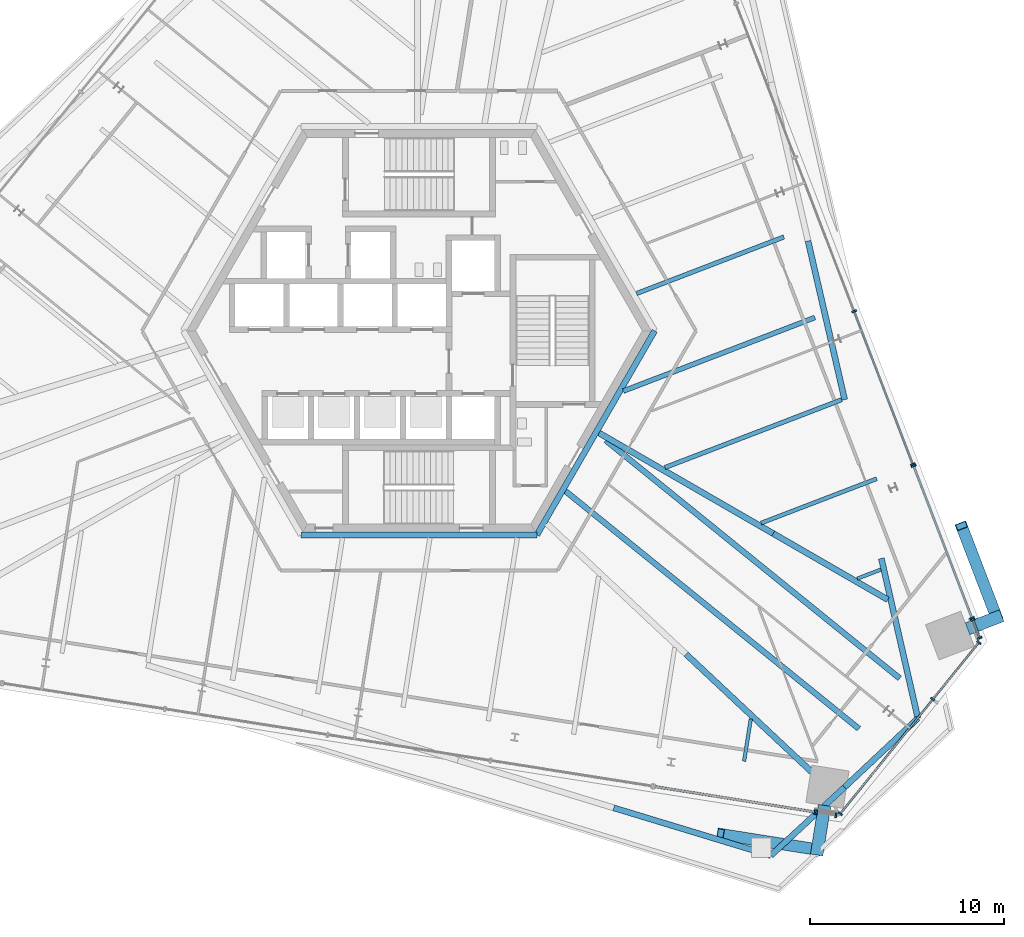
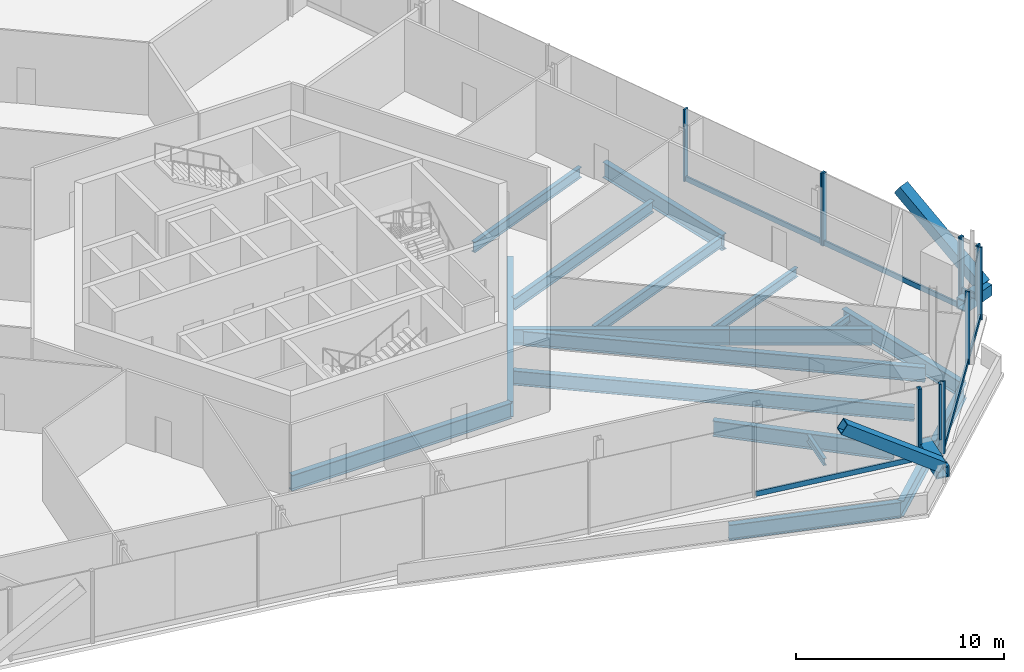
# One storey, part 6 of 22: 22 members, 18 beams, 6 elements without a shape of their own.
"""IFC4 building model written with IfcOpenShell, lengths in metres."""

from ifc_helpers import new_model, si_unit, direction, frame, origin, origin_2d, place, context, subcontext, project, spatial, rectangle, hollow_rectangle, i_section, extrude, source, transform, mapped, material, material_profile, profile_set, type_object, element, aggregate, save


model = new_model("IFC4")

# Units and contexts
model_context = context("Model", 3, precision=1e-05, world=origin(), true_north=direction((0.0, 1.0)))
body_context = subcontext(model_context, "Body", "Model", "MODEL_VIEW")
ifc_project = project(units=[si_unit("LENGTHUNIT", "METRE"), si_unit("AREAUNIT", "SQUARE_METRE"), si_unit("VOLUMEUNIT", "CUBIC_METRE"), si_unit("PLANEANGLEUNIT", "RADIAN"), si_unit("MASSUNIT", "GRAM", prefix="KILO")], contexts=[model_context])

# Site, building, storey
site_placement = place(None, origin())
site = spatial("IfcSite", under=ifc_project, at=site_placement, CompositionType="ELEMENT")
building_placement = place(site_placement, origin())
building = spatial("IfcBuilding", under=site, at=building_placement, Name="Triune Harvest Tower", CompositionType="ELEMENT")
storey_placement = place(building_placement, frame((0.0, 0.0, 138.10009765625)))
storey = spatial("IfcBuildingStorey", under=building, at=storey_placement, Name="L35", CompositionType="ELEMENT", Elevation=138.10009765625)

# Member
ifc_material_1 = material(Name="Steel ASTM A572 Gr 50", Category="steel")
ifc_material_profile_1 = material_profile(ifc_material_1, hollow_rectangle(XDim=0.60009765625, YDim=0.60009765625, WallThickness=0.0400390625, at=origin_2d()), Name="Box 600x600x40")
ifc_profile_set_1 = profile_set([ifc_material_profile_1], Name="Steel ASTM A572 Gr 50")
member_type_1 = type_object("IfcMemberType", Name="BR-2 Brace Box 600x600x40", PredefinedType="BRACE", material=ifc_profile_set_1)
member_1_placement = place(storey_placement, frame((20.585693359375, -26.80078125, 0.889892578125), z_axis=(-0.812337199478, 0.128663577474, 0.568818036085), x_axis=(-0.15643684292, -0.987687963973, 0.0)))
element("IfcMember", 1, at=member_1_placement, inside=storey, type_object=member_type_1, Name="brace/B4-F5/d2/1", PredefinedType="BRACE", context=body_context, shape_type="SweptSolid", body=[
    extrude(hollow_rectangle(XDim=0.60009765625, YDim=0.60009765625, WallThickness=0.0400390625, at=origin_2d()), origin(), (0.0, 0.0, 1.0), 6.170654296875),
])

# Beams
ifc_material_2 = material(Name="Steel ASTM A992 Gr 50", Category="steel")
ifc_material_profile_2 = material_profile(ifc_material_2, i_section(OverallWidth=0.307373046875, OverallDepth=0.922119140625, WebThickness=0.018310546875, FlangeThickness=0.030029296875, at=origin_2d()), Name="W36x182")
ifc_profile_set_2 = profile_set([ifc_material_profile_2], Name="Steel ASTM A992 Gr 50")
beam_type_1 = type_object("IfcBeamType", Name="HG-2 Hip girder W36x182", PredefinedType="BEAM", material=ifc_profile_set_2)
beam_1_placement = place(storey_placement, frame((24.214111328125, -13.888427734375, -0.6611328125), z_axis=(-0.866037387927, 0.499979242281, 0.0), x_axis=(-0.499979242281, -0.866037387927, 0.0)))
element("IfcBeam", 2, at=beam_1_placement, inside=storey, type_object=beam_type_1, Name="beam/L35/HG1", PredefinedType="BEAM", context=body_context, shape_type="SweptSolid", body=[
    extrude(i_section(OverallWidth=0.307373046875, OverallDepth=0.922119140625, WebThickness=0.018310546875, FlangeThickness=0.030029296875, at=origin_2d()), origin(), (0.0, 0.0, 1.0), 6.830810546875),
])
beam_2_placement = place(storey_placement, frame((20.2880859375, -22.791259765625, -0.6611328125), z_axis=(-0.729490162882, 0.683991302766, 0.0), x_axis=(-0.683991302766, -0.729490162882, 0.0)))
element("IfcBeam", 3, at=beam_2_placement, inside=storey, type_object=beam_type_1, Name="beam/L35/HG7", PredefinedType="BEAM", context=body_context, shape_type="SweptSolid", body=[
    extrude(i_section(OverallWidth=0.307373046875, OverallDepth=0.922119140625, WebThickness=0.018310546875, FlangeThickness=0.030029296875, at=origin_2d()), origin(), (0.0, 0.0, 1.0), 8.90185546875),
])
ifc_material_3 = material(Name="Steel ASTM A992 Gr 50", Category="steel")
ifc_material_profile_3 = material_profile(ifc_material_3, i_section(OverallWidth=0.253662109375, OverallDepth=0.683349609375, WebThickness=0.012451171875, FlangeThickness=0.01904296875, at=origin_2d()), Name="W27x94")
ifc_profile_set_3 = profile_set([ifc_material_profile_3], Name="Steel ASTM A992 Gr 50")
beam_type_2 = type_object("IfcBeamType", Name="JT-4 Floor joist W27x94", PredefinedType="JOIST", material=ifc_profile_set_3)
beam_3_placement = place(storey_placement, frame((20.449462890625, 0.685302734375, -0.541748046875), z_axis=(-0.933585246774, -0.358355392042, 0.0), x_axis=(0.358355392042, -0.933585246774, 0.0)))
element("IfcBeam", 4, at=beam_3_placement, inside=storey, type_object=beam_type_2, Name="beam/L35/JT4", PredefinedType="JOIST", context=body_context, shape_type="SweptSolid", body=[
    extrude(i_section(OverallWidth=0.253662109375, OverallDepth=0.683349609375, WebThickness=0.012451171875, FlangeThickness=0.01904296875, at=origin_2d()), origin(), (0.0, 0.0, 1.0), 10.5986328125),
])
ifc_material_4 = material(Name="Steel ASTM A992 Gr 50", Category="steel")
ifc_material_profile_4 = material_profile(ifc_material_4, i_section(OverallWidth=0.2919921875, OverallDepth=0.8583984375, WebThickness=0.01708984375, FlangeThickness=0.031005859375, at=origin_2d()), Name="W33x169")
ifc_profile_set_4 = profile_set([ifc_material_profile_4], Name="Steel ASTM A992 Gr 50")
beam_type_3 = type_object("IfcBeamType", Name="JT-7 Floor joist W33x169", PredefinedType="JOIST", material=ifc_profile_set_4)
beam_4_placement = place(storey_placement, frame((24.8310546875, -17.952392578125, -0.62939453125), z_axis=(-0.777143912921, 0.629322920772, 0.0), x_axis=(-0.629322920772, -0.777143912921, 0.0)))
element("IfcBeam", 5, at=beam_4_placement, inside=storey, type_object=beam_type_3, Name="beam/L35/JT36", PredefinedType="JOIST", context=body_context, shape_type="SweptSolid", body=[
    extrude(i_section(OverallWidth=0.2919921875, OverallDepth=0.8583984375, WebThickness=0.01708984375, FlangeThickness=0.031005859375, at=origin_2d()), origin(), (0.0, 0.0, 1.0), 19.54345703125),
])

# Curtain wall, member
ifc_material_5 = material(Name="Aluminium bronze anodised", Category="aluminium")
curtain_wall_type_1 = type_object("IfcCurtainWallType", Name="CW-9 Sky lobby tall glazing wall with insulated spandrel infill", PredefinedType="NOTDEFINED", material=ifc_material_5)
curtain_wall_1_placement = place(storey_placement, origin())
curtain_wall_1 = element("IfcCurtainWall", 6, at=curtain_wall_1_placement, inside=storey, type_object=curtain_wall_type_1, Name="CW-9 B4-F5 L35 run 2101")
ifc_material_6 = material(Name="Aluminium bronze anodised", Category="aluminium")
ifc_material_profile_5 = material_profile(ifc_material_6, rectangle(XDim=0.10009765625, YDim=0.300048828125, at=origin_2d()), Name="TR-4 transom 100 x 300")
ifc_profile_set_5 = profile_set([ifc_material_profile_5], Name="Aluminium bronze anodised")
member_type_2 = type_object("IfcMemberType", Name="TR-4 transom 100 x 300", PredefinedType="USERDEFINED", material=ifc_profile_set_5)
member_2_placement = place(storey_placement, frame((12.184326171875, -23.546630859375, 0.14990234375), z_axis=(0.987687537958, -0.156439532608, 0.0), x_axis=(0.156439532608, 0.987687537958, 0.0)))
member_2 = element("IfcMember", 7, at=member_2_placement, type_object=member_type_2, Name="CW-9 transom B4-F5 2101.1", ObjectType="TRANSOM", PredefinedType="USERDEFINED", context=body_context, shape_type="SweptSolid", body=[
    extrude(rectangle(XDim=0.10009765625, YDim=0.300048828125, at=origin_2d()), origin(), (0.0, 0.0, 1.0), 8.33203125),
])

# Beams
ifc_material_7 = material(Name="Steel ASTM A992 Gr 50", Category="steel")
ifc_material_profile_6 = material_profile(ifc_material_7, i_section(OverallWidth=0.3046875, OverallDepth=0.914306640625, WebThickness=0.0166015625, FlangeThickness=0.02587890625, at=origin_2d()), Name="W36x160")
ifc_profile_set_6 = profile_set([ifc_material_profile_6], Name="Steel ASTM A992 Gr 50")
beam_type_4 = type_object("IfcBeamType", Name="CG-1 Core ring girder W36x160", PredefinedType="BEAM", material=ifc_profile_set_6)
shared_shape_1 = source(origin(), body_context, "Body", "SweptSolid", [
    extrude(i_section(OverallWidth=0.3046875, OverallDepth=0.914306640625, WebThickness=0.0166015625, FlangeThickness=0.02587890625, at=origin_2d()), origin(), (0.0, 0.0, 1.0), 12.176025390625),
])
beam_5_placement = place(storey_placement, frame((6.087890625, -10.544677734375, -0.6572265625), z_axis=(0.5000099932, 0.866019634131, 0.0), x_axis=(-0.866019634131, 0.5000099932, 0.0)))
element("IfcBeam", 8, at=beam_5_placement, inside=storey, type_object=beam_type_4, Name="beam/L35/CG6", PredefinedType="BEAM", context=body_context, shape_type="MappedRepresentation", body=[
    mapped(shared_shape_1, transform((0.0, 0.0, 0.0), scale=1.0)),
])
shared_shape_2 = source(origin(), body_context, "Body", "SweptSolid", [
    extrude(i_section(OverallWidth=0.3046875, OverallDepth=0.914306640625, WebThickness=0.0166015625, FlangeThickness=0.02587890625, at=origin_2d()), origin(), (0.0, 0.0, 1.0), 12.17578125),
])
beam_6_placement = place(storey_placement, frame((-6.087890625, -10.544677734375, -0.6572265625), z_axis=(1.0, 0.0, 0.0), x_axis=(0.0, 1.0, 0.0)))
element("IfcBeam", 9, at=beam_6_placement, inside=storey, type_object=beam_type_4, Name="beam/L35/CG5", PredefinedType="BEAM", context=body_context, shape_type="MappedRepresentation", body=[
    mapped(shared_shape_2, transform((0.0, 0.0, 0.0), scale=1.0)),
])
ifc_material_8 = material(Name="Steel ASTM A992 Gr 50", Category="steel")
ifc_material_profile_7 = material_profile(ifc_material_8, i_section(OverallWidth=0.3046875, OverallDepth=0.914306640625, WebThickness=0.0166015625, FlangeThickness=0.02587890625, at=origin_2d()), Name="W36x160")
ifc_profile_set_7 = profile_set([ifc_material_profile_7], Name="Steel ASTM A992 Gr 50")
beam_type_5 = type_object("IfcBeamType", Name="SB-1 Spandrel beam W36x160", PredefinedType="SPANDREL", material=ifc_profile_set_7)
shared_shape_3 = source(origin(), body_context, "Body", "SweptSolid", [
    extrude(i_section(OverallWidth=0.3046875, OverallDepth=0.914306640625, WebThickness=0.0166015625, FlangeThickness=0.02587890625, at=origin_2d()), origin(), (0.0, 0.0, 1.0), 8.474609375),
])
for number, where, z_axis, x_axis, name in (
    (10, (25.7734375, -20.018798828125, -0.6572265625), (-0.223093881977, 0.974796963385, 0.0), (-0.974796963385, -0.223093881977, 0.0), "beam/L35/WB1"),
    (11, (10.063232421875, -24.64453125, -0.6572265625), (0.956855120299, -0.290565446599, 0.0), (0.290565446599, 0.956855120299, 0.0), "beam/L35/WB19"),
):
    element("IfcBeam", number, at=place(storey_placement, frame(where, z_axis=z_axis, x_axis=x_axis)), inside=storey, type_object=beam_type_5, Name=name, PredefinedType="SPANDREL", context=body_context, shape_type="MappedRepresentation", body=[
        mapped(shared_shape_3, transform((0.0, 0.0, 0.0), scale=1.0)),
    ])
shared_shape_4 = source(origin(), body_context, "Body", "SweptSolid", [
    extrude(i_section(OverallWidth=0.3046875, OverallDepth=0.914306640625, WebThickness=0.0166015625, FlangeThickness=0.02587890625, at=origin_2d()), origin(), (0.0, 0.0, 1.0), 8.41455078125),
])
beam_7_placement = place(storey_placement, frame((21.98974609375, -3.55908203125, -0.6572265625), z_axis=(-0.224944265367, 0.974371632119, 0.0), x_axis=(-0.974371632119, -0.224944265367, 0.0)))
element("IfcBeam", 12, at=beam_7_placement, inside=storey, type_object=beam_type_5, Name="beam/L35/WB2", PredefinedType="SPANDREL", context=body_context, shape_type="MappedRepresentation", body=[
    mapped(shared_shape_4, transform((0.0, 0.0, 0.0), scale=1.0)),
])
shared_shape_5 = source(origin(), body_context, "Body", "SweptSolid", [
    extrude(i_section(OverallWidth=0.3046875, OverallDepth=0.914306640625, WebThickness=0.0166015625, FlangeThickness=0.02587890625, at=origin_2d()), origin(), (0.0, 0.0, 1.0), 5.19677734375),
])
beam_8_placement = place(storey_placement, frame((21.983642578125, -23.57470703125, -0.6572265625), z_axis=(0.729251458784, 0.684245796379, 0.0), x_axis=(-0.684245796379, 0.729251458784, 0.0)))
element("IfcBeam", 13, at=beam_8_placement, inside=storey, type_object=beam_type_5, Name="beam/L35/WB21", PredefinedType="SPANDREL", context=body_context, shape_type="MappedRepresentation", body=[
    mapped(shared_shape_5, transform((0.0, 0.0, 0.0), scale=1.0)),
])
shared_shape_6 = source(origin(), body_context, "Body", "SweptSolid", [
    extrude(i_section(OverallWidth=0.3046875, OverallDepth=0.914306640625, WebThickness=0.0166015625, FlangeThickness=0.02587890625, at=origin_2d()), origin(), (0.0, 0.0, 1.0), 5.196533203125),
])
beam_9_placement = place(storey_placement, frame((18.172119140625, -27.10693359375, -0.6572265625), z_axis=(0.733469143165, 0.67972274938, 0.0), x_axis=(-0.67972274938, 0.733469143165, 0.0)))
element("IfcBeam", 14, at=beam_9_placement, inside=storey, type_object=beam_type_5, Name="beam/L35/WB20", PredefinedType="SPANDREL", context=body_context, shape_type="MappedRepresentation", body=[
    mapped(shared_shape_6, transform((0.0, 0.0, 0.0), scale=1.0)),
])
shared_shape_7 = source(origin(), body_context, "Body", "SweptSolid", [
    extrude(i_section(OverallWidth=0.307373046875, OverallDepth=0.922119140625, WebThickness=0.018310546875, FlangeThickness=0.030029296875, at=origin_2d()), origin(), (0.0, 0.0, 1.0), 10.38623046875),
])
beam_10_placement = place(storey_placement, frame((18.29833984375, -10.47314453125, -0.6611328125), z_axis=(-0.866022743272, 0.500004608114, 0.0), x_axis=(-0.500004608114, -0.866022743272, 0.0)))
element("IfcBeam", 15, at=beam_10_placement, inside=storey, type_object=beam_type_1, Name="beam/L35/HG2", PredefinedType="BEAM", context=body_context, shape_type="MappedRepresentation", body=[
    mapped(shared_shape_7, transform((0.0, 0.0, 0.0), scale=1.0)),
])
ifc_material_9 = material(Name="Steel ASTM A992 Gr 50", Category="steel")
ifc_material_profile_8 = material_profile(ifc_material_9, i_section(OverallWidth=0.180908203125, OverallDepth=0.41650390625, WebThickness=0.010986328125, FlangeThickness=0.01806640625, at=origin_2d()), Name="W16x57")
ifc_profile_set_8 = profile_set([ifc_material_profile_8], Name="Steel ASTM A992 Gr 50")
beam_type_6 = type_object("IfcBeamType", Name="JT-1 Floor joist W16x57", PredefinedType="JOIST", material=ifc_profile_set_8)
shared_shape_8 = source(origin(), body_context, "Body", "SweptSolid", [
    extrude(i_section(OverallWidth=0.180908203125, OverallDepth=0.41650390625, WebThickness=0.010986328125, FlangeThickness=0.01806640625, at=origin_2d()), origin(), (0.0, 0.0, 1.0), 1.304443359375),
])
beam_11_placement = place(storey_placement, frame((23.8583984375, -12.335205078125, -0.408447265625), z_axis=(-0.933625119247, -0.358251499246, 0.0), x_axis=(0.358251499246, -0.933625119247, 0.0)))
element("IfcBeam", 16, at=beam_11_placement, inside=storey, type_object=beam_type_6, Name="beam/L35/JT1", PredefinedType="JOIST", context=body_context, shape_type="MappedRepresentation", body=[
    mapped(shared_shape_8, transform((0.0, 0.0, 0.0), scale=1.0)),
])
ifc_material_10 = material(Name="Steel ASTM A992 Gr 50", Category="steel")
ifc_material_profile_9 = material_profile(ifc_material_10, i_section(OverallWidth=0.2099609375, OverallDepth=0.535888671875, WebThickness=0.010986328125, FlangeThickness=0.017333984375, at=origin_2d()), Name="W21x68")
ifc_profile_set_9 = profile_set([ifc_material_profile_9], Name="Steel ASTM A992 Gr 50")
beam_type_7 = type_object("IfcBeamType", Name="JT-2 Floor joist W21x68", PredefinedType="JOIST", material=ifc_profile_set_9)
shared_shape_9 = source(origin(), body_context, "Body", "SweptSolid", [
    extrude(i_section(OverallWidth=0.2099609375, OverallDepth=0.535888671875, WebThickness=0.010986328125, FlangeThickness=0.017333984375, at=origin_2d()), origin(), (0.0, 0.0, 1.0), 6.399169921875),
])
beam_12_placement = place(storey_placement, frame((23.6455078125, -7.640380859375, -0.468017578125), z_axis=(-0.933569613994, -0.358396115809, 0.0), x_axis=(0.358396115809, -0.933569613994, 0.0)))
element("IfcBeam", 17, at=beam_12_placement, inside=storey, type_object=beam_type_7, Name="beam/L35/JT2", PredefinedType="JOIST", context=body_context, shape_type="MappedRepresentation", body=[
    mapped(shared_shape_9, transform((0.0, 0.0, 0.0), scale=1.0)),
])
ifc_material_11 = material(Name="Steel ASTM A992 Gr 50", Category="steel")
ifc_material_profile_10 = material_profile(ifc_material_11, i_section(OverallWidth=0.22900390625, OverallDepth=0.612060546875, WebThickness=0.011962890625, FlangeThickness=0.01953125, at=origin_2d()), Name="W24x84")
ifc_profile_set_10 = profile_set([ifc_material_profile_10], Name="Steel ASTM A992 Gr 50")
beam_type_8 = type_object("IfcBeamType", Name="JT-3 Floor joist W24x84", PredefinedType="JOIST", material=ifc_profile_set_10)
shared_shape_10 = source(origin(), body_context, "Body", "SweptSolid", [
    extrude(i_section(OverallWidth=0.22900390625, OverallDepth=0.612060546875, WebThickness=0.011962890625, FlangeThickness=0.01953125, at=origin_2d()), origin(), (0.0, 0.0, 1.0), 9.78076171875),
])
beam_13_placement = place(storey_placement, frame((21.83349609375, -3.559814453125, -0.506103515625), z_axis=(-0.933579581139, -0.358370151772, 0.0), x_axis=(0.358370151772, -0.933579581139, 0.0)))
element("IfcBeam", 18, at=beam_13_placement, inside=storey, type_object=beam_type_8, Name="beam/L35/JT3", PredefinedType="JOIST", context=body_context, shape_type="MappedRepresentation", body=[
    mapped(shared_shape_10, transform((0.0, 0.0, 0.0), scale=1.0)),
])
shared_shape_11 = source(origin(), body_context, "Body", "SweptSolid", [
    extrude(i_section(OverallWidth=0.22900390625, OverallDepth=0.612060546875, WebThickness=0.011962890625, FlangeThickness=0.01953125, at=origin_2d()), origin(), (0.0, 0.0, 1.0), 8.1533203125),
])
beam_14_placement = place(storey_placement, frame((18.8515625, 4.848388671875, -0.506103515625), z_axis=(-0.933581557378, -0.358365003486, 0.0), x_axis=(0.358365003486, -0.933581557378, 0.0)))
element("IfcBeam", 19, at=beam_14_placement, inside=storey, type_object=beam_type_8, Name="beam/L35/JT5", PredefinedType="JOIST", context=body_context, shape_type="MappedRepresentation", body=[
    mapped(shared_shape_11, transform((0.0, 0.0, 0.0), scale=1.0)),
])
shared_shape_12 = source(origin(), body_context, "Body", "SweptSolid", [
    extrude(i_section(OverallWidth=0.180908203125, OverallDepth=0.41650390625, WebThickness=0.010986328125, FlangeThickness=0.01806640625, at=origin_2d()), origin(), (0.0, 0.0, 1.0), 2.21484375),
])
beam_15_placement = place(storey_placement, frame((16.7939453125, -22.23779296875, -0.408447265625), z_axis=(0.156421067656, 0.987690462439, 0.0), x_axis=(-0.987690462439, 0.156421067656, 0.0)))
element("IfcBeam", 20, at=beam_15_placement, inside=storey, type_object=beam_type_6, Name="beam/L35/JT34", PredefinedType="JOIST", context=body_context, shape_type="MappedRepresentation", body=[
    mapped(shared_shape_12, transform((0.0, 0.0, 0.0), scale=1.0)),
])
ifc_material_12 = material(Name="Steel ASTM A992 Gr 50", Category="steel")
ifc_material_profile_11 = material_profile(ifc_material_12, i_section(OverallWidth=0.2919921875, OverallDepth=0.8408203125, WebThickness=0.0146484375, FlangeThickness=0.021728515625, at=origin_2d()), Name="W33x130")
ifc_profile_set_11 = profile_set([ifc_material_profile_11], Name="Steel ASTM A992 Gr 50")
beam_type_9 = type_object("IfcBeamType", Name="JT-6 Floor joist W33x130", PredefinedType="JOIST", material=ifc_profile_set_11)
shared_shape_13 = source(origin(), body_context, "Body", "SweptSolid", [
    extrude(i_section(OverallWidth=0.2919921875, OverallDepth=0.8408203125, WebThickness=0.0146484375, FlangeThickness=0.021728515625, at=origin_2d()), origin(), (0.0, 0.0, 1.0), 19.49951171875),
])
beam_16_placement = place(storey_placement, frame((22.722900390625, -20.555908203125, -0.62060546875), z_axis=(-0.77714660272, 0.629319599155, 0.0), x_axis=(-0.629319599155, -0.77714660272, 0.0)))
element("IfcBeam", 21, at=beam_16_placement, inside=storey, type_object=beam_type_9, Name="beam/L35/JT35", PredefinedType="JOIST", context=body_context, shape_type="MappedRepresentation", body=[
    mapped(shared_shape_13, transform((0.0, 0.0, 0.0), scale=1.0)),
])

# Members
ifc_material_13 = material(Name="Steel ASTM A572 Gr 50", Category="steel")
ifc_material_profile_12 = material_profile(ifc_material_13, hollow_rectangle(XDim=0.64990234375, YDim=0.64990234375, WallThickness=0.070068359375, at=origin_2d()), Name="Box 650x650x70")
ifc_profile_set_12 = profile_set([ifc_material_profile_12], Name="Steel ASTM A572 Gr 50")
member_type_3 = type_object("IfcMemberType", Name="BS-1 Brace stub Box 650x650x70", PredefinedType="STRUT", material=ifc_profile_set_12)
shared_shape_14 = source(origin(), body_context, "Body", "SweptSolid", [
    extrude(hollow_rectangle(XDim=0.64990234375, YDim=0.64990234375, WallThickness=0.070068359375, at=origin_2d()), origin(), (0.0, 0.0, 1.0), 1.893798828125),
])
member_3_placement = place(storey_placement, frame((28.335205078125, -15.39306640625, 0.599853515625), z_axis=(0.933577982841, 0.358374315423, 0.0), x_axis=(-0.358374315423, 0.933577982841, 0.0)))
element("IfcMember", 22, at=member_3_placement, inside=storey, type_object=member_type_3, Name="brace/B4-F1/stub1", PredefinedType="STRUT", context=body_context, shape_type="MappedRepresentation", body=[
    mapped(shared_shape_14, transform((0.0, 0.0, 0.0), scale=1.0)),
])
shared_shape_15 = source(origin(), body_context, "Body", "SweptSolid", [
    extrude(hollow_rectangle(XDim=0.60009765625, YDim=0.60009765625, WallThickness=0.0400390625, at=origin_2d()), origin(), (0.0, 0.0, 1.0), 6.1708984375),
])
member_4_placement = place(storey_placement, frame((29.841796875, -14.814697265625, 0.889892578125), z_axis=(-0.294747176645, 0.767846067694, 0.568802705855), x_axis=(-0.933580960673, -0.358366557967, 0.0)))
element("IfcMember", 23, at=member_4_placement, inside=storey, type_object=member_type_1, Name="brace/B4-F1/d1/1", PredefinedType="BRACE", context=body_context, shape_type="MappedRepresentation", body=[
    mapped(shared_shape_15, transform((0.0, 0.0, 0.0), scale=1.0)),
])
shared_shape_16 = source(origin(), body_context, "Body", "SweptSolid", [
    extrude(hollow_rectangle(XDim=0.64990234375, YDim=0.64990234375, WallThickness=0.070068359375, at=origin_2d()), origin(), (0.0, 0.0, 1.0), 2.59375),
])
member_5_placement = place(storey_placement, frame((20.94775390625, -24.515625, 0.599853515625), z_axis=(-0.156441082631, -0.987687292449, 0.0), x_axis=(0.987687292449, -0.156441082631, 0.0)))
element("IfcMember", 24, at=member_5_placement, inside=storey, type_object=member_type_3, Name="brace/B4-F5/stub3", PredefinedType="STRUT", context=body_context, shape_type="MappedRepresentation", body=[
    mapped(shared_shape_16, transform((0.0, 0.0, 0.0), scale=1.0)),
])

# Curtain wall, members
ifc_material_14 = material(Name="Aluminium bronze anodised", Category="aluminium")
curtain_wall_type_2 = type_object("IfcCurtainWallType", Name="CW-4 Sky lobby tall glazing wall", PredefinedType="NOTDEFINED", material=ifc_material_14)
curtain_wall_2_placement = place(storey_placement, origin())
curtain_wall_2 = element("IfcCurtainWall", 25, at=curtain_wall_2_placement, inside=storey, type_object=curtain_wall_type_2, Name="CW-4 B4-F1 L35 run 1")
ifc_material_15 = material(Name="Aluminium bronze anodised", Category="aluminium")
ifc_material_profile_13 = material_profile(ifc_material_15, rectangle(XDim=0.25, YDim=0.090087890625, at=origin_2d()), Name="MU-4 mullion 90 x 250")
ifc_profile_set_13 = profile_set([ifc_material_profile_13], Name="Aluminium bronze anodised")
member_type_4 = type_object("IfcMemberType", Name="MU-4 mullion 90 x 250", PredefinedType="MULLION", material=ifc_profile_set_13)
shared_shape_17 = source(origin(), body_context, "Body", "SweptSolid", [
    extrude(rectangle(XDim=0.25, YDim=0.090087890625, at=origin_2d()), origin(), (0.0, 0.0, 1.0), 3.255126953125),
])
member_6_placement = place(storey_placement, frame((28.96044921875, -15.8671875, 0.98486328125), z_axis=(0.0, 0.0, 1.0), x_axis=(-0.933603842285, -0.358306943376, 0.0)))
member_6 = element("IfcMember", 26, at=member_6_placement, type_object=member_type_4, Name="CW-4 mullion B4-F1 1.1", PredefinedType="MULLION", context=body_context, shape_type="MappedRepresentation", body=[
    mapped(shared_shape_17, transform((0.0, 0.0, 0.0), scale=1.0)),
])
member_7_placement = place(storey_placement, frame((28.599609375, -14.92724609375, 0.98486328125), z_axis=(0.0, 0.0, 1.0), x_axis=(-0.933603842285, -0.358306943376, 0.0)))
member_7 = element("IfcMember", 27, at=member_7_placement, type_object=member_type_4, Name="CW-4 mullion B4-F1 1.2", PredefinedType="MULLION", context=body_context, shape_type="MappedRepresentation", body=[
    mapped(shared_shape_17, transform((0.0, 0.0, 0.0), scale=1.0)),
])

curtain_wall_3_placement = place(storey_placement, origin())
curtain_wall_3 = element("IfcCurtainWall", 28, at=curtain_wall_3_placement, inside=storey, type_object=curtain_wall_type_2, Name="CW-4 B4-F5 L35 run 201")
member_8_placement = place(storey_placement, frame((20.54736328125, -24.87109375, 0.98486328125), z_axis=(0.0, 0.0, 1.0), x_axis=(0.156454153156, 0.987685222103, 0.0)))
member_8 = element("IfcMember", 29, at=member_8_placement, type_object=member_type_4, Name="CW-4 mullion B4-F5 201.1", PredefinedType="MULLION", context=body_context, shape_type="MappedRepresentation", body=[
    mapped(shared_shape_17, transform((0.0, 0.0, 0.0), scale=1.0)),
])
member_9_placement = place(storey_placement, frame((21.541748046875, -25.028564453125, 0.98486328125), z_axis=(0.0, 0.0, 1.0), x_axis=(0.156454153156, 0.987685222103, 0.0)))
member_9 = element("IfcMember", 30, at=member_9_placement, type_object=member_type_4, Name="CW-4 mullion B4-F5 201.2", PredefinedType="MULLION", context=body_context, shape_type="MappedRepresentation", body=[
    mapped(shared_shape_17, transform((0.0, 0.0, 0.0), scale=1.0)),
])
aggregate(curtain_wall_3, [member_8, member_9])

# Member
shared_shape_18 = source(origin(), body_context, "Body", "SweptSolid", [
    extrude(rectangle(XDim=0.10009765625, YDim=0.300048828125, at=origin_2d()), origin(), (0.0, 0.0, 1.0), 0.916748046875),
])
member_10_placement = place(storey_placement, frame((28.9443359375, -15.8251953125, 1.135009765625), z_axis=(-0.35817592297, 0.933654115936, 0.0), x_axis=(-0.933654115936, -0.35817592297, 0.0)))
member_10 = element("IfcMember", 31, at=member_10_placement, type_object=member_type_2, Name="CW-4 transom B4-F1 1.1", ObjectType="TRANSOM", PredefinedType="USERDEFINED", context=body_context, shape_type="MappedRepresentation", body=[
    mapped(shared_shape_18, transform((0.0, 0.0, 0.0), scale=1.0)),
])

aggregate(curtain_wall_2, [member_6, member_7, member_10])

# Curtain wall, members
curtain_wall_4_placement = place(storey_placement, origin())
curtain_wall_4 = element("IfcCurtainWall", 32, at=curtain_wall_4_placement, inside=storey, type_object=curtain_wall_type_1, Name="CW-9 B4-F1 L35 run 101")
shared_shape_19 = source(origin(), body_context, "Body", "SweptSolid", [
    extrude(rectangle(XDim=0.25, YDim=0.090087890625, at=origin_2d()), origin(), (0.0, 0.0, 1.0), 4.239990234375),
])
member_11_placement = place(storey_placement, frame((28.5673828125, -14.84326171875, 0.0), z_axis=(0.0, 0.0, 1.0), x_axis=(-0.933580061504, -0.358368900385, 0.0)))
member_11 = element("IfcMember", 33, at=member_11_placement, type_object=member_type_4, Name="CW-9 mullion B4-F1 101.1", PredefinedType="MULLION", context=body_context, shape_type="MappedRepresentation", body=[
    mapped(shared_shape_19, transform((0.0, 0.0, 0.0), scale=1.0)),
])
member_12_placement = place(storey_placement, frame((25.54931640625, -6.98046875, 0.0), z_axis=(0.0, 0.0, 1.0), x_axis=(-0.933580061504, -0.358368900385, 0.0)))
member_12 = element("IfcMember", 34, at=member_12_placement, type_object=member_type_4, Name="CW-9 mullion B4-F1 101.3", PredefinedType="MULLION", context=body_context, shape_type="MappedRepresentation", body=[
    mapped(shared_shape_19, transform((0.0, 0.0, 0.0), scale=1.0)),
])

curtain_wall_5_placement = place(storey_placement, origin())
curtain_wall_5 = element("IfcCurtainWall", 35, at=curtain_wall_5_placement, inside=storey, type_object=curtain_wall_type_2, Name="CW-4 B4-F1 L35 run 1101")
member_13_placement = place(storey_placement, frame((25.51708984375, -6.896484375, 0.0), z_axis=(0.0, 0.0, 1.0), x_axis=(-0.933580061504, -0.358368900385, 0.0)))
member_13 = element("IfcMember", 36, at=member_13_placement, type_object=member_type_4, Name="CW-4 mullion B4-F1 1101.1", PredefinedType="MULLION", context=body_context, shape_type="MappedRepresentation", body=[
    mapped(shared_shape_19, transform((0.0, 0.0, 0.0), scale=1.0)),
])
member_14_placement = place(storey_placement, frame((22.482666015625, 1.00830078125, 0.0), z_axis=(0.0, 0.0, 1.0), x_axis=(-0.933580061504, -0.358368900385, 0.0)))
member_14 = element("IfcMember", 37, at=member_14_placement, type_object=member_type_4, Name="CW-4 mullion B4-F1 1101.3", PredefinedType="MULLION", context=body_context, shape_type="MappedRepresentation", body=[
    mapped(shared_shape_19, transform((0.0, 0.0, 0.0), scale=1.0)),
])

# Member
member_15_placement = place(storey_placement, frame((20.458251953125, -24.857177734375, 0.0), z_axis=(0.0, 0.0, 1.0), x_axis=(0.156434311067, 0.987688364982, 0.0)))
member_15 = element("IfcMember", 38, at=member_15_placement, type_object=member_type_4, Name="CW-9 mullion B4-F5 2101.3", PredefinedType="MULLION", context=body_context, shape_type="MappedRepresentation", body=[
    mapped(shared_shape_19, transform((0.0, 0.0, 0.0), scale=1.0)),
])

aggregate(curtain_wall_1, [member_15, member_2])

# Curtain wall, members
curtain_wall_6_placement = place(storey_placement, origin())
curtain_wall_6 = element("IfcCurtainWall", 39, at=curtain_wall_6_placement, inside=storey, type_object=curtain_wall_type_2, Name="CW-4 B4-F6 L35 run 1")
member_16_placement = place(storey_placement, frame((21.760009765625, -24.94482421875, 0.0), z_axis=(0.0, 0.0, 1.0), x_axis=(-0.777145544932, 0.629320905414, 0.0)))
member_16 = element("IfcMember", 40, at=member_16_placement, type_object=member_type_4, Name="CW-4 mullion B4-F6 1.1", PredefinedType="MULLION", context=body_context, shape_type="MappedRepresentation", body=[
    mapped(shared_shape_19, transform((0.0, 0.0, 0.0), scale=1.0)),
])
member_17_placement = place(storey_placement, frame((26.54541015625, -19.035400390625, 0.0), z_axis=(0.0, 0.0, 1.0), x_axis=(-0.777145544932, 0.629320905414, 0.0)))
member_17 = element("IfcMember", 41, at=member_17_placement, type_object=member_type_4, Name="CW-4 mullion B4-F6 1.3", PredefinedType="MULLION", context=body_context, shape_type="MappedRepresentation", body=[
    mapped(shared_shape_19, transform((0.0, 0.0, 0.0), scale=1.0)),
])
member_18_placement = place(storey_placement, frame((28.923828125, -16.09814453125, 0.0), z_axis=(0.0, 0.0, 1.0), x_axis=(-0.777145544932, 0.629320905414, 0.0)))
member_18 = element("IfcMember", 42, at=member_18_placement, type_object=member_type_4, Name="CW-4 mullion B4-F6 1.4", PredefinedType="MULLION", context=body_context, shape_type="MappedRepresentation", body=[
    mapped(shared_shape_19, transform((0.0, 0.0, 0.0), scale=1.0)),
])

# Member
shared_shape_20 = source(origin(), body_context, "Body", "SweptSolid", [
    extrude(rectangle(XDim=0.10009765625, YDim=0.300048828125, at=origin_2d()), origin(), (0.0, 0.0, 1.0), 8.332275390625),
])
member_19_placement = place(storey_placement, frame((28.55126953125, -14.80126953125, 0.14990234375), z_axis=(-0.358350688815, 0.933587052088, 0.0), x_axis=(-0.933587052088, -0.358350688815, 0.0)))
member_19 = element("IfcMember", 43, at=member_19_placement, type_object=member_type_2, Name="CW-9 transom B4-F1 101.1", ObjectType="TRANSOM", PredefinedType="USERDEFINED", context=body_context, shape_type="MappedRepresentation", body=[
    mapped(shared_shape_20, transform((0.0, 0.0, 0.0), scale=1.0)),
])

aggregate(curtain_wall_4, [member_11, member_12, member_19])

shared_shape_21 = source(origin(), body_context, "Body", "SweptSolid", [
    extrude(rectangle(XDim=0.10009765625, YDim=0.300048828125, at=origin_2d()), origin(), (0.0, 0.0, 1.0), 8.377197265625),
])
member_20_placement = place(storey_placement, frame((25.500732421875, -6.8544921875, 0.14990234375), z_axis=(-0.35835015627, 0.933587256501, 0.0), x_axis=(-0.933587256501, -0.35835015627, 0.0)))
member_20 = element("IfcMember", 44, at=member_20_placement, type_object=member_type_2, Name="CW-4 transom B4-F1 1101.1", ObjectType="TRANSOM", PredefinedType="USERDEFINED", context=body_context, shape_type="MappedRepresentation", body=[
    mapped(shared_shape_21, transform((0.0, 0.0, 0.0), scale=1.0)),
])

aggregate(curtain_wall_5, [member_13, member_14, member_20])

shared_shape_22 = source(origin(), body_context, "Body", "SweptSolid", [
    extrude(rectangle(XDim=0.10009765625, YDim=0.300048828125, at=origin_2d()), origin(), (0.0, 0.0, 1.0), 7.51416015625),
])
member_21_placement = place(storey_placement, frame((21.788330078125, -24.909912109375, 0.14990234375), z_axis=(0.629315989784, 0.777149525512, 0.0), x_axis=(-0.777149525512, 0.629315989784, 0.0)))
member_21 = element("IfcMember", 45, at=member_21_placement, type_object=member_type_2, Name="CW-4 transom B4-F6 1.1", ObjectType="TRANSOM", PredefinedType="USERDEFINED", context=body_context, shape_type="MappedRepresentation", body=[
    mapped(shared_shape_22, transform((0.0, 0.0, 0.0), scale=1.0)),
])

shared_shape_23 = source(origin(), body_context, "Body", "SweptSolid", [
    extrude(rectangle(XDim=0.10009765625, YDim=0.300048828125, at=origin_2d()), origin(), (0.0, 0.0, 1.0), 3.689453125),
])
member_22_placement = place(storey_placement, frame((26.57373046875, -19.00048828125, 0.14990234375), z_axis=(0.629283884249, 0.777175522661, 0.0), x_axis=(-0.777175522661, 0.629283884249, 0.0)))
member_22 = element("IfcMember", 46, at=member_22_placement, type_object=member_type_2, Name="CW-4 transom B4-F6 1.2", ObjectType="TRANSOM", PredefinedType="USERDEFINED", context=body_context, shape_type="MappedRepresentation", body=[
    mapped(shared_shape_23, transform((0.0, 0.0, 0.0), scale=1.0)),
])

aggregate(curtain_wall_6, [member_16, member_17, member_18, member_21, member_22])

save(model, "model.ifc")
